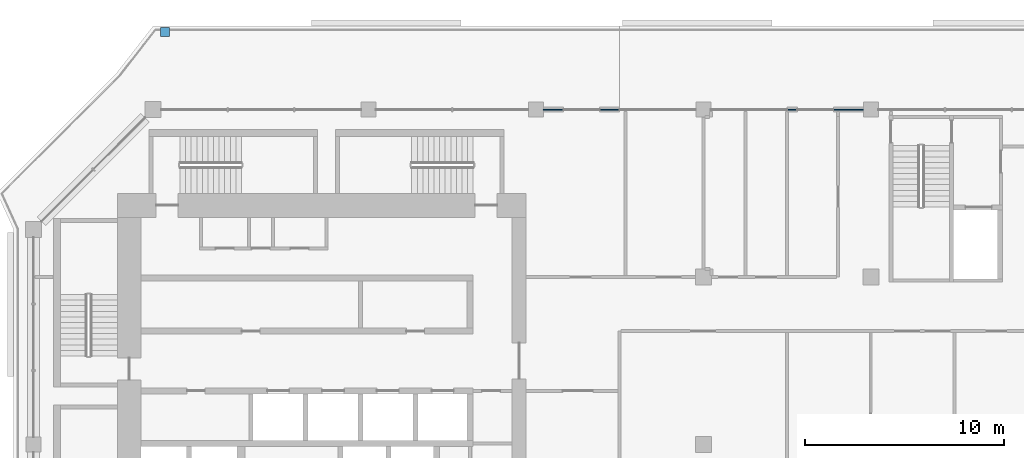
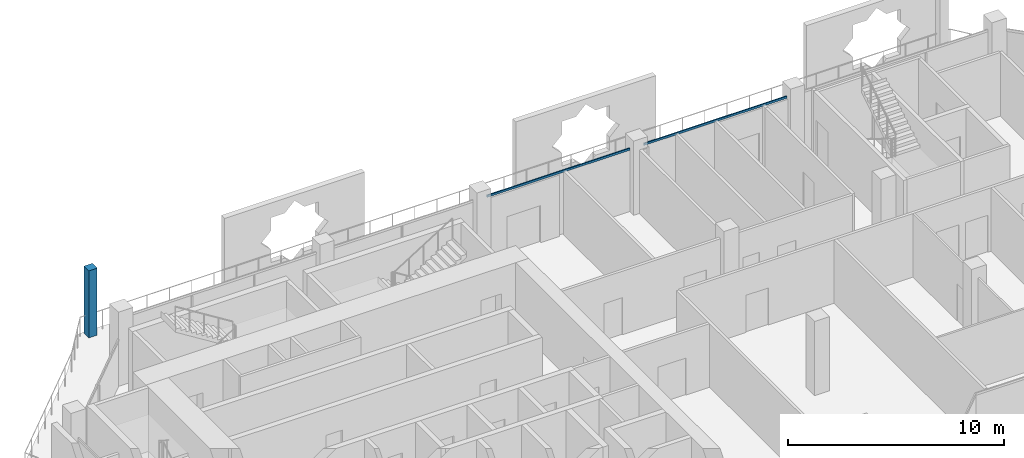
# One storey, part 7 of 20: 3 members, 2 elements without a shape of their own.
"""IFC4 building model written with IfcOpenShell, lengths in metres."""

from ifc_helpers import new_model, si_unit, direction, frame, origin, origin_2d, place, context, subcontext, project, spatial, rectangle, extrude, material, layer, layer_set, material_profile, profile_set, type_object, element, aggregate, save


model = new_model("IFC4")

# Units and contexts
model_context = context("Model", 3, precision=1e-05, world=origin(), true_north=direction((0.0, 1.0)))
body_context = subcontext(model_context, "Body", "Model", "MODEL_VIEW")
ifc_project = project(units=[si_unit("LENGTHUNIT", "METRE"), si_unit("AREAUNIT", "SQUARE_METRE"), si_unit("VOLUMEUNIT", "CUBIC_METRE"), si_unit("PLANEANGLEUNIT", "RADIAN"), si_unit("MASSUNIT", "GRAM", prefix="KILO")], contexts=[model_context])

# Site, building, storey
site_placement = place(None, origin())
site = spatial("IfcSite", under=ifc_project, at=site_placement, CompositionType="ELEMENT")
building_placement = place(site_placement, origin())
building = spatial("IfcBuilding", under=site, at=building_placement, Name="Kawkab Arch Medical Tower", CompositionType="ELEMENT")
storey_placement = place(building_placement, frame((0.0, 0.0, 290.199951171875)))
storey = spatial("IfcBuildingStorey", under=building, at=storey_placement, Name="L67", CompositionType="ELEMENT", Elevation=290.199951171875)

# Curtain wall, members
ifc_material_1 = material(Name="Bronze anodised aluminium curtain wall frame", Category="aluminium")
ifc_layer_1 = layer(ifc_material_1, 0.159912109375)
ifc_layer_set_1 = layer_set([ifc_layer_1], Name="Bronze anodised aluminium curtain wall frame")
curtain_wall_type_1 = type_object("IfcCurtainWallType", Name="CW1 ward curtain wall", PredefinedType="NOTDEFINED", material=ifc_layer_set_1)
placement = place(storey_placement, origin())
curtain_wall_1 = element("IfcCurtainWall", 1, at=placement, inside=storey, type_object=curtain_wall_type_1, Name="CW1 Ward curtain wall R15", PredefinedType="NOTDEFINED")
ifc_material_2 = material(Name="Bronze anodised aluminium curtain wall frame", Category="aluminium")
ifc_material_profile_1 = material_profile(ifc_material_2, rectangle(XDim=0.06005859375, YDim=0.1201171875, at=origin_2d()), Name="AL 60x120")
ifc_profile_set_1 = profile_set([ifc_material_profile_1], Name="Bronze anodised aluminium curtain wall frame")
member_type_1 = type_object("IfcMemberType", Name="CW1 transom 120 x 60", PredefinedType="USERDEFINED", material=ifc_profile_set_1)
member_1_placement = place(storey_placement, frame((41.625, 0.0, 3.5400390625), z_axis=(-1.0, 0.0, 0.0), x_axis=(0.0, -1.0, 0.0)))
member_1 = element("IfcMember", 2, at=member_1_placement, type_object=member_type_1, Name="CW1 transom 2", ObjectType="TRANSOM", PredefinedType="USERDEFINED", context=body_context, shape_type="SweptSolid", body=[
    extrude(rectangle(XDim=0.06005859375, YDim=0.1201171875, at=origin_2d()), origin(), (0.0, 0.0, 1.0), 7.64990234375),
])
member_2_placement = place(storey_placement, frame((33.22509765625, 0.0, 3.5400390625), z_axis=(-1.0, 0.0, 0.0), x_axis=(0.0, -1.0, 0.0)))
member_2 = element("IfcMember", 3, at=member_2_placement, type_object=member_type_1, Name="CW1 transom 3", ObjectType="TRANSOM", PredefinedType="USERDEFINED", context=body_context, shape_type="SweptSolid", body=[
    extrude(rectangle(XDim=0.06005859375, YDim=0.1201171875, at=origin_2d()), origin(), (0.0, 0.0, 1.0), 7.650146484375),
])
aggregate(curtain_wall_1, [member_1, member_2])

# Curtain wall, member
ifc_material_3 = material(Name="Bronze anodised aluminium climber frame, planted", Category="aluminium")
ifc_layer_2 = layer(ifc_material_3, 0.449951171875)
ifc_layer_set_2 = layer_set([ifc_layer_2], Name="Bronze anodised aluminium climber frame, planted")
curtain_wall_type_2 = type_object("IfcCurtainWallType", Name="Planted climber frame", PredefinedType="NOTDEFINED", material=ifc_layer_set_2)
curtain_wall_2 = element("IfcCurtainWall", 4, at=placement, inside=storey, type_object=curtain_wall_type_2, Name="Planted climber frame L67", PredefinedType="NOTDEFINED")
ifc_material_4 = material(Name="Bronze anodised aluminium climber frame, planted", Category="aluminium")
ifc_material_profile_2 = material_profile(ifc_material_4, rectangle(XDim=0.449951171875, YDim=0.449951171875, at=origin_2d()), Name="Post 450x450")
ifc_profile_set_2 = profile_set([ifc_material_profile_2], Name="Bronze anodised aluminium climber frame, planted")
member_type_2 = type_object("IfcMemberType", Name="Planted climber post 450 x 450", PredefinedType="MULLION", material=ifc_profile_set_2)
member_3_placement = place(storey_placement, frame((6.596923828125, 3.89990234375, 0.0), z_axis=(0.0, 0.0, 1.0), x_axis=(1.0, 0.0, 0.0)))
member_3 = element("IfcMember", 5, at=member_3_placement, type_object=member_type_2, Name="Planted climber post L67.LOG-01-01.3", PredefinedType="MULLION", context=body_context, shape_type="SweptSolid", body=[
    extrude(rectangle(XDim=0.449951171875, YDim=0.449951171875, at=origin_2d()), origin(), (0.0, 0.0, 1.0), 3.800048828125),
])
aggregate(curtain_wall_2, [member_3])

save(model, "model.ifc")
